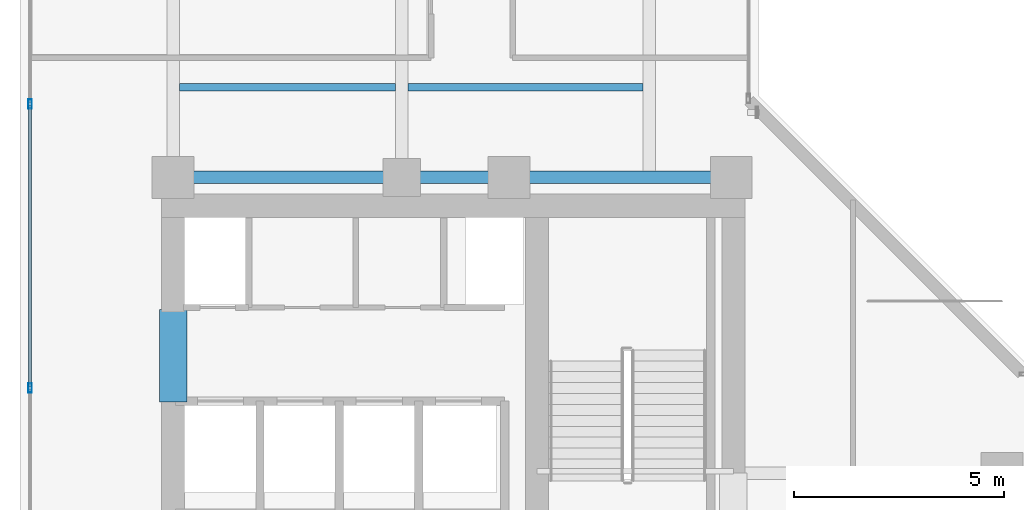
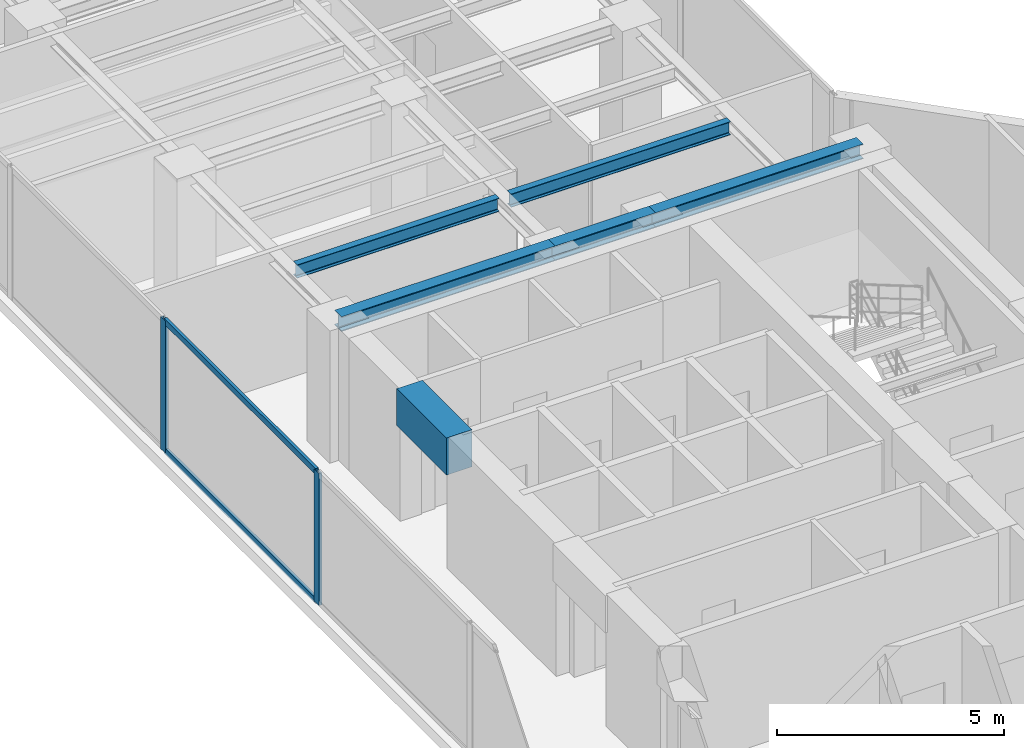
# One storey, part 7 of 25: 6 beams, 4 members, 1 element without a shape of its own.
"""IFC4 building model written with IfcOpenShell, lengths in metres."""

import ifcopenshell
import ifcopenshell.guid

model = None  # the IFC model being written
_history = None  # IfcOwnerHistory: only IFC2X3 demands one
_inside = {}  # id of a spatial element -> (the spatial element, [elements in it])
_under = {}  # id of a project, library or spatial element -> (it, [spatial elements below it])
_declared = {}  # id of a project -> (the project, [libraries it declares])
_typed = {}  # id of a type object -> (the type object, [elements of that type])
_made_of = {}  # id of a material, layer set ... -> (it, [elements and type objects made of it])


def new_model(schema):
    """Start an empty IFC model of exactly this schema.

    Asked for "IFC4X3", IfcOpenShell would pick the latest addendum, in which some entities
    have other attributes; the version numbers below select the first issue.
    IFC2X3 requires an IfcOwnerHistory on every rooted entity: one is made here for all.
    """
    global model, _history
    if schema == "IFC4X3":
        model = ifcopenshell.file(schema_version=(4, 3, 0, 0))
    else:
        model = ifcopenshell.file(schema=schema)
    _inside.clear()
    _under.clear()
    _declared.clear()
    _typed.clear()
    _made_of.clear()
    _history = None
    if model.schema == "IFC2X3":
        org = make("IfcOrganization", Name="unknown")
        user = make(
            "IfcPersonAndOrganization",
            ThePerson=make("IfcPerson", FamilyName="unknown"),
            TheOrganization=org,
        )
        app = make(
            "IfcApplication",
            ApplicationDeveloper=org,
            Version="unknown",
            ApplicationFullName="unknown",
            ApplicationIdentifier="unknown",
        )
        _history = make(
            "IfcOwnerHistory",
            OwningUser=user,
            OwningApplication=app,
            ChangeAction="ADDED",
            CreationDate=0,
        )
    return model


def make(cls, **values):
    """One entity of the class cls with the attributes given. An attribute that is None is left unset."""
    return model.create_entity(
        cls, **{name: value for name, value in values.items() if value is not None}
    )


def rooted(cls, **values):
    """An entity with a GlobalId (a new one), such as an element, a storey or a relation."""
    return make(cls, GlobalId=ifcopenshell.guid.new(), OwnerHistory=_history, **values)


def si_unit(unit_type, name, prefix=None):
    """IfcSIUnit, for example si_unit("LENGTHUNIT", "METRE", prefix="MILLI")."""
    return make("IfcSIUnit", UnitType=unit_type, Prefix=prefix, Name=name)


def assignment(units):
    """IfcUnitAssignment: the units of a project."""
    return None if units is None else make("IfcUnitAssignment", Units=units)


def point(xyz):
    """IfcCartesianPoint."""
    return None if xyz is None else make("IfcCartesianPoint", Coordinates=xyz)


def direction(xyz):
    """IfcDirection."""
    return None if xyz is None else make("IfcDirection", DirectionRatios=xyz)


def frame(location, z_axis=None, x_axis=None):
    """IfcAxis2Placement3D, a coordinate frame: its origin and axes. An axis left out is left unset."""
    return make(
        "IfcAxis2Placement3D",
        Location=point(location),
        Axis=direction(z_axis),
        RefDirection=direction(x_axis),
    )


def frame_2d(location, x_axis=None):
    """IfcAxis2Placement2D, a coordinate frame in the plane: its origin and x axis."""
    return make(
        "IfcAxis2Placement2D", Location=point(location), RefDirection=direction(x_axis)
    )


def origin():
    """The frame at (0, 0, 0) with its axes left unset."""
    return frame((0.0, 0.0, 0.0))


def origin_with_axes():
    """The frame at (0, 0, 0) with the z axis (0, 0, 1) and the x axis (1, 0, 0) written out."""
    return frame((0.0, 0.0, 0.0), z_axis=(0.0, 0.0, 1.0), x_axis=(1.0, 0.0, 0.0))


def origin_2d():
    """The frame at (0, 0) in the plane with its x axis left unset."""
    return frame_2d((0.0, 0.0))


def place(relative_to, where):
    """IfcLocalPlacement: puts the frame where relative to a parent placement (None: the world)."""
    return make(
        "IfcLocalPlacement", PlacementRelTo=relative_to, RelativePlacement=where
    )


def context(
    kind, dimensions, precision=None, world=None, true_north=None, identifier=None
):
    """IfcGeometricRepresentationContext, for example the 3D "Model" context."""
    return make(
        "IfcGeometricRepresentationContext",
        ContextIdentifier=identifier,
        ContextType=kind,
        CoordinateSpaceDimension=dimensions,
        Precision=precision,
        WorldCoordinateSystem=world,
        TrueNorth=true_north,
    )


def subcontext(parent, identifier, kind, view, scale=None):
    """IfcGeometricRepresentationSubContext, for example "Body" below "Model"."""
    return make(
        "IfcGeometricRepresentationSubContext",
        ContextIdentifier=identifier,
        ContextType=kind,
        ParentContext=parent,
        TargetScale=scale,
        TargetView=view,
    )


def project(units=None, contexts=None):
    """IfcProject with its units and contexts."""
    return rooted(
        "IfcProject",
        Name="project",
        RepresentationContexts=contexts,
        UnitsInContext=assignment(units),
    )


def spatial(cls, under=None, at=None, **own):
    """A site, building, storey or space (cls), placed at a placement, below another one or the project."""
    s = rooted(cls, ObjectPlacement=at, **own)
    if under is not None:
        _under.setdefault(under.id(), (under, []))[1].append(s)
    return s


def profile(cls, at=None, kind="AREA", **sizes):
    """A parametric profile (cls). Its sizes go by their IFC names, for example OverallWidth=200.0."""
    return make(cls, ProfileType=kind, Position=at, **sizes)


def rectangle(**sizes):
    """IfcRectangleProfileDef."""
    return profile("IfcRectangleProfileDef", **sizes)


def hollow_rectangle(**sizes):
    """IfcRectangleHollowProfileDef."""
    return profile("IfcRectangleHollowProfileDef", **sizes)


def i_section(**sizes):
    """IfcIShapeProfileDef."""
    return profile("IfcIShapeProfileDef", **sizes)


def extrude(swept, where, along, depth):
    """IfcExtrudedAreaSolid: the profile swept, set in the frame where, extruded along a direction by depth."""
    return make(
        "IfcExtrudedAreaSolid",
        SweptArea=swept,
        Position=where,
        ExtrudedDirection=direction(along),
        Depth=depth,
    )


def shape(context_of_items, identifier, shape_type, items):
    """IfcShapeRepresentation: the items that make up one representation, for example the "Body"."""
    return make(
        "IfcShapeRepresentation",
        ContextOfItems=context_of_items,
        RepresentationIdentifier=identifier,
        RepresentationType=shape_type,
        Items=items,
    )


def source(mapping_origin, context_of_items, identifier, shape_type, items):
    """IfcRepresentationMap: a shape defined once, which mapped items show again and again."""
    return make(
        "IfcRepresentationMap",
        MappingOrigin=mapping_origin,
        MappedRepresentation=shape(context_of_items, identifier, shape_type, items),
    )


def transform(
    local_origin,
    x_axis=None,
    y_axis=None,
    z_axis=None,
    scale=None,
    scale2=None,
    scale3=None,
    uniform=True,
):
    """IfcCartesianTransformationOperator3D, or its non-uniform kind. x_axis, y_axis, z_axis: its Axis1, 2, 3."""
    if uniform:
        return make(
            "IfcCartesianTransformationOperator3D",
            Axis1=direction(x_axis),
            Axis2=direction(y_axis),
            LocalOrigin=point(local_origin),
            Scale=scale,
            Axis3=direction(z_axis),
        )
    return make(
        "IfcCartesianTransformationOperator3DnonUniform",
        Axis1=direction(x_axis),
        Axis2=direction(y_axis),
        LocalOrigin=point(local_origin),
        Scale=scale,
        Axis3=direction(z_axis),
        Scale2=scale2,
        Scale3=scale3,
    )


def mapped(mapping_source, mapping_target):
    """IfcMappedItem: shows the shape of a source again, moved by a transform."""
    return make(
        "IfcMappedItem", MappingSource=mapping_source, MappingTarget=mapping_target
    )


def material(Name=None, Category=None):
    """IfcMaterial."""
    return make("IfcMaterial", Name=Name, Category=Category)


def layer(
    of_material, thickness, ventilated=None, Name=None, Category=None, Priority=None
):
    """IfcMaterialLayer: one layer of a wall or slab, of a material (None: an air gap)."""
    return make(
        "IfcMaterialLayer",
        Material=of_material,
        LayerThickness=thickness,
        IsVentilated=ventilated,
        Name=Name,
        Category=Category,
        Priority=Priority,
    )


def layer_set(layers, Name=None):
    """IfcMaterialLayerSet."""
    return make("IfcMaterialLayerSet", MaterialLayers=layers, LayerSetName=Name)


def material_profile(
    of_material, cross_section, Name=None, Category=None, Priority=None
):
    """IfcMaterialProfile: a cross section and its material."""
    return make(
        "IfcMaterialProfile",
        Name=Name,
        Material=of_material,
        Profile=cross_section,
        Priority=Priority,
        Category=Category,
    )


def profile_set(profiles, Name=None, composite=None):
    """IfcMaterialProfileSet."""
    return make(
        "IfcMaterialProfileSet",
        Name=Name,
        MaterialProfiles=profiles,
        CompositeProfile=composite,
    )


def made_of(thing, what):
    """Note that an element or type object is made of a material, layer set ...; save() writes the relation."""
    if what is not None:
        _made_of.setdefault(what.id(), (what, []))[1].append(thing)
    return thing


def type_object(cls, material=None, **own):
    """A type object (cls), such as IfcWallType, which elements share."""
    return made_of(rooted(cls, **own), material)


def element(
    cls,
    number,
    at=None,
    inside=None,
    cuts=None,
    type_object=None,
    material=None,
    context=None,
    identifier="Body",
    shape_type=None,
    held_by="IfcProductDefinitionShape",
    body=None,
    shapes=None,
    **own,
):
    """One element of the class cls, such as IfcWall. Its Tag is "e" and its number.

    at: its placement. inside: the storey or other place that contains it. cuts: it is an
    opening in that element (IfcRelVoidsElement). A single representation is given by context,
    identifier, shape_type and body (its items); several are given by shapes. held_by: the class
    of the entity that holds the representations. save() writes the other relations.
    """
    e = rooted(cls, Tag="e%d" % number, ObjectPlacement=at, **own)
    if body is not None:
        shapes = [shape(context, identifier, shape_type, body)]
    if shapes is not None:
        e.Representation = make(held_by, Representations=shapes)
    if inside is not None:
        _inside.setdefault(inside.id(), (inside, []))[1].append(e)
    if cuts is not None:
        rooted(
            "IfcRelVoidsElement", RelatingBuildingElement=cuts, RelatedOpeningElement=e
        )
    if type_object is not None:
        _typed.setdefault(type_object.id(), (type_object, []))[1].append(e)
    return made_of(e, material)


def aggregate(whole, parts):
    """IfcRelAggregates: a whole, such as a stair, and the parts it consists of."""
    return rooted("IfcRelAggregates", RelatingObject=whole, RelatedObjects=parts)


def save(model, path):
    """Write the relations noted so far, then the file.

    IfcRelAggregates (storeys below a building ...), IfcRelContainedInSpatialStructure (elements
    in a storey), IfcRelDefinesByType, IfcRelAssociatesMaterial and IfcRelDeclares: one each for
    every whole, place, type object, material and project.
    """
    for whole, parts in _under.values():
        aggregate(whole, parts)
    for where, things in _inside.values():
        rooted(
            "IfcRelContainedInSpatialStructure",
            RelatedElements=things,
            RelatingStructure=where,
        )
    for kind, things in _typed.values():
        rooted("IfcRelDefinesByType", RelatedObjects=things, RelatingType=kind)
    for what, things in _made_of.values():
        rooted("IfcRelAssociatesMaterial", RelatedObjects=things, RelatingMaterial=what)
    for by, libraries in _declared.values():
        rooted("IfcRelDeclares", RelatingContext=by, RelatedDefinitions=libraries)
    model.write(path)


model = new_model("IFC4")

# Units and contexts
model_context = context("Model", 3, precision=1e-05, world=origin(), true_north=direction((0.0, 1.0)))
body_context = subcontext(model_context, "Body", "Model", "MODEL_VIEW")
ifc_project = project(units=[si_unit("LENGTHUNIT", "METRE"), si_unit("AREAUNIT", "SQUARE_METRE"), si_unit("VOLUMEUNIT", "CUBIC_METRE"), si_unit("PLANEANGLEUNIT", "RADIAN"), si_unit("MASSUNIT", "GRAM", prefix="KILO")], contexts=[model_context])

# Site, building, storey
site_placement = place(None, origin())
site = spatial("IfcSite", under=ifc_project, at=site_placement, CompositionType="ELEMENT")
building_placement = place(site_placement, origin())
building = spatial("IfcBuilding", under=site, at=building_placement, Name="Kolvaren Waterfront Exchange", CompositionType="ELEMENT")
storey_placement = place(building_placement, frame((0.0, 0.0, 223.5)))
storey = spatial("IfcBuildingStorey", under=building, at=storey_placement, Name="L57", CompositionType="ELEMENT", Elevation=223.5)

# Beams
ifc_material_1 = material(Name="Steel S355", Category="steel")
ifc_material_profile_1 = material_profile(ifc_material_1, i_section(OverallWidth=0.300048828125, OverallDepth=0.39990234375, WebThickness=0.013427734375, FlangeThickness=0.02392578125, FilletRadius=0.027099609375, at=origin_2d()), Name="HEB400")
ifc_profile_set_1 = profile_set([ifc_material_profile_1], Name="Steel S355")
beam_type_1 = type_object("IfcBeamType", Name="STR-BM-HEB400", PredefinedType="BEAM", material=ifc_profile_set_1)
beam_1_placement = place(storey_placement, frame((7.449951171875, 24.449951171875, 3.360107421875), z_axis=(1.0, 0.0, 0.0), x_axis=(0.0, 1.0, 0.0)))
element("IfcBeam", 1, at=beam_1_placement, inside=storey, type_object=beam_type_1, Name="L57 north-arm girder 1A", PredefinedType="BEAM", context=body_context, shape_type="SweptSolid", body=[
    extrude(i_section(OverallWidth=0.300048828125, OverallDepth=0.39990234375, WebThickness=0.013427734375, FlangeThickness=0.02392578125, FilletRadius=0.027099609375, at=origin_2d()), origin(), (0.0, 0.0, 1.0), 5.449951171875),
])
beam_2_placement = place(storey_placement, frame((12.89990234375, 24.449951171875, 3.360107421875), z_axis=(1.0, 0.0, 0.0), x_axis=(0.0, 1.0, 0.0)))
element("IfcBeam", 2, at=beam_2_placement, inside=storey, type_object=beam_type_1, Name="L57 north-arm girder 1B", PredefinedType="BEAM", context=body_context, shape_type="SweptSolid", body=[
    extrude(i_section(OverallWidth=0.300048828125, OverallDepth=0.39990234375, WebThickness=0.013427734375, FlangeThickness=0.02392578125, FilletRadius=0.027099609375, at=origin_2d()), origin(), (0.0, 0.0, 1.0), 2.550048828125),
])
beam_3_placement = place(storey_placement, frame((15.449951171875, 24.449951171875, 3.360107421875), z_axis=(1.0, 0.0, 0.0), x_axis=(0.0, 1.0, 0.0)))
element("IfcBeam", 3, at=beam_3_placement, inside=storey, type_object=beam_type_1, Name="L57 north-arm girder 1C", PredefinedType="BEAM", context=body_context, shape_type="SweptSolid", body=[
    extrude(i_section(OverallWidth=0.300048828125, OverallDepth=0.39990234375, WebThickness=0.013427734375, FlangeThickness=0.02392578125, FilletRadius=0.027099609375, at=origin_2d()), origin(), (0.0, 0.0, 1.0), 5.300048828125),
])
ifc_material_profile_2 = material_profile(ifc_material_1, i_section(OverallWidth=0.169921875, OverallDepth=0.360107421875, WebThickness=0.008056640625, FlangeThickness=0.0126953125, FilletRadius=0.01806640625, at=origin_2d()), Name="IPE360")
ifc_profile_set_2 = profile_set([ifc_material_profile_2], Name="Steel S355")
beam_type_2 = type_object("IfcBeamType", Name="STR-BM-IPE360", PredefinedType="JOIST", material=ifc_profile_set_2)
beam_4_placement = place(storey_placement, frame((7.60205078125, 26.60009765625, 3.3798828125), z_axis=(1.0, 0.0, 0.0), x_axis=(0.0, 1.0, 0.0)))
element("IfcBeam", 4, at=beam_4_placement, inside=storey, type_object=beam_type_2, Name="L57 north-arm composite joist 1A", PredefinedType="JOIST", context=body_context, shape_type="SweptSolid", body=[
    extrude(i_section(OverallWidth=0.169921875, OverallDepth=0.360107421875, WebThickness=0.008056640625, FlangeThickness=0.0126953125, FilletRadius=0.01806640625, at=origin_2d()), origin(), (0.0, 0.0, 1.0), 5.14599609375),
])
beam_5_placement = place(storey_placement, frame((13.052001953125, 26.60009765625, 3.3798828125), z_axis=(1.0, 0.0, 0.0), x_axis=(0.0, 1.0, 0.0)))
element("IfcBeam", 5, at=beam_5_placement, inside=storey, type_object=beam_type_2, Name="L57 north-arm composite joist 1B", PredefinedType="JOIST", context=body_context, shape_type="SweptSolid", body=[
    extrude(i_section(OverallWidth=0.169921875, OverallDepth=0.360107421875, WebThickness=0.008056640625, FlangeThickness=0.0126953125, FilletRadius=0.01806640625, at=origin_2d()), origin(), (0.0, 0.0, 1.0), 5.595947265625),
])
ifc_material_2 = material(Name="Concrete C60/75", Category="concrete")
ifc_material_profile_3 = material_profile(ifc_material_2, rectangle(XDim=0.64990234375, YDim=1.0, at=origin_2d()), Name="RC-CB-1000x650")
ifc_profile_set_3 = profile_set([ifc_material_profile_3], Name="Concrete C60/75")
beam_type_3 = type_object("IfcBeamType", Name="STR-CB-1000", PredefinedType="SPANDREL", material=ifc_profile_set_3)
beam_6_placement = place(storey_placement, frame((7.449951171875, 19.10009765625, 3.06005859375), z_axis=(0.0, 1.0, 0.0), x_axis=(-1.0, 0.0, 0.0)))
element("IfcBeam", 6, at=beam_6_placement, inside=storey, type_object=beam_type_3, Name="L57 core coupling beam 5", PredefinedType="SPANDREL", context=body_context, shape_type="SweptSolid", body=[
    extrude(rectangle(XDim=0.64990234375, YDim=1.0, at=origin_2d()), origin(), (0.0, 0.0, 1.0), 2.199951171875),
])

# Curtain wall, members
ifc_material_3 = material(Name="Anodised aluminium 6063-T6", Category="aluminium")
ifc_layer = layer(ifc_material_3, 0.219970703125, Name="Anodised aluminium 6063-T6")
ifc_layer_set = layer_set([ifc_layer], Name="Anodised aluminium 6063-T6")
curtain_wall_type = type_object("IfcCurtainWallType", Name="ARC-CW-SYS2", PredefinedType="USERDEFINED", material=ifc_layer_set)
curtain_wall_placement = place(storey_placement, origin())
curtain_wall = element("IfcCurtainWall", 7, at=curtain_wall_placement, inside=storey, type_object=curtain_wall_type, Name="L57 stick curtain wall CW2 (CW-L57-W)", ObjectType="STICK CURTAIN WALL", PredefinedType="USERDEFINED")
ifc_material_profile_4 = material_profile(ifc_material_3, hollow_rectangle(XDim=0.080078125, YDim=0.219970703125, WallThickness=0.0048828125, at=origin_2d()), Name="ALU-MUL-220x80x5")
ifc_profile_set_4 = profile_set([ifc_material_profile_4], Name="Anodised aluminium 6063-T6")
member_type_1 = type_object("IfcMemberType", Name="ARC-CWM-220", PredefinedType="MULLION", material=ifc_profile_set_4)
shared_shape_1 = source(origin_with_axes(), body_context, "Body", "SweptSolid", [
    extrude(hollow_rectangle(XDim=0.080078125, YDim=0.219970703125, WallThickness=0.0048828125, at=origin_2d()), origin(), (0.0, 0.0, 1.0), 3.56005859375),
])
member_1_placement = place(storey_placement, frame((4.0400390625, 19.433349609375, 0.0), z_axis=(0.0, 0.0, 1.0), x_axis=(-1.0, 0.0, 0.0)))
member_1 = element("IfcMember", 8, at=member_1_placement, type_object=member_type_1, Name="CW2 mullion 3", PredefinedType="MULLION", context=body_context, shape_type="MappedRepresentation", body=[
    mapped(shared_shape_1, transform((0.0, 0.0, 0.0), x_axis=(1.0, 0.0, 0.0), y_axis=(0.0, 1.0, 0.0), z_axis=(0.0, 0.0, 1.0), scale=1.0)),
])
member_2_placement = place(storey_placement, frame((4.0400390625, 26.199951171875, 0.0), z_axis=(0.0, 0.0, 1.0), x_axis=(-1.0, 0.0, 0.0)))
member_2 = element("IfcMember", 9, at=member_2_placement, type_object=member_type_1, Name="CW2 mullion 4", PredefinedType="MULLION", context=body_context, shape_type="MappedRepresentation", body=[
    mapped(shared_shape_1, transform((0.0, 0.0, 0.0), x_axis=(1.0, 0.0, 0.0), y_axis=(0.0, 1.0, 0.0), z_axis=(0.0, 0.0, 1.0), scale=1.0)),
])
ifc_material_profile_5 = material_profile(ifc_material_3, hollow_rectangle(XDim=0.074951171875, YDim=0.159912109375, WallThickness=0.00439453125, at=origin_2d()), Name="ALU-TRN-160x75x4.5")
ifc_profile_set_5 = profile_set([ifc_material_profile_5], Name="Anodised aluminium 6063-T6")
member_type_2 = type_object("IfcMemberType", Name="ARC-CWT-160", PredefinedType="USERDEFINED", material=ifc_profile_set_5)
shared_shape_2 = source(origin_with_axes(), body_context, "Body", "SweptSolid", [
    extrude(hollow_rectangle(XDim=0.074951171875, YDim=0.159912109375, WallThickness=0.00439453125, at=origin_2d()), origin(), (0.0, 0.0, 1.0), 6.6865234375),
])
member_3_placement = place(storey_placement, frame((4.0400390625, 19.473388671875, 0.03759765625), z_axis=(0.0, 1.0, 0.0), x_axis=(-1.0, 0.0, 0.0)))
member_3 = element("IfcMember", 10, at=member_3_placement, type_object=member_type_2, Name="CW2 transom 3.1", ObjectType="TRANSOM", PredefinedType="USERDEFINED", context=body_context, shape_type="MappedRepresentation", body=[
    mapped(shared_shape_2, transform((0.0, 0.0, 0.0), x_axis=(1.0, 0.0, 0.0), y_axis=(0.0, 1.0, 0.0), z_axis=(0.0, 0.0, 1.0), scale=1.0)),
])
member_4_placement = place(storey_placement, frame((4.0400390625, 19.473388671875, 3.5224609375), z_axis=(0.0, 1.0, 0.0), x_axis=(-1.0, 0.0, 0.0)))
member_4 = element("IfcMember", 11, at=member_4_placement, type_object=member_type_2, Name="CW2 transom 3.2", ObjectType="TRANSOM", PredefinedType="USERDEFINED", context=body_context, shape_type="MappedRepresentation", body=[
    mapped(shared_shape_2, transform((0.0, 0.0, 0.0), x_axis=(1.0, 0.0, 0.0), y_axis=(0.0, 1.0, 0.0), z_axis=(0.0, 0.0, 1.0), scale=1.0)),
])
aggregate(curtain_wall, [member_1, member_2, member_3, member_4])

save(model, "model.ifc")
